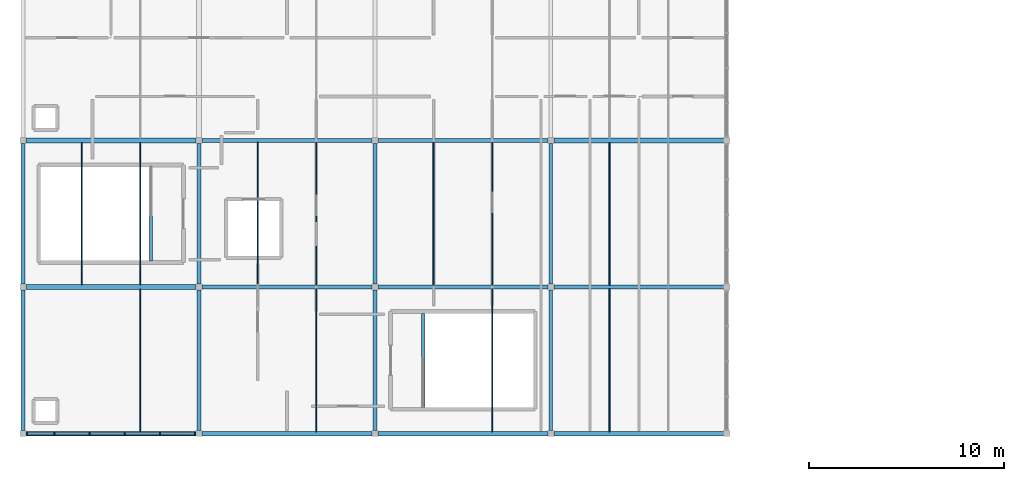
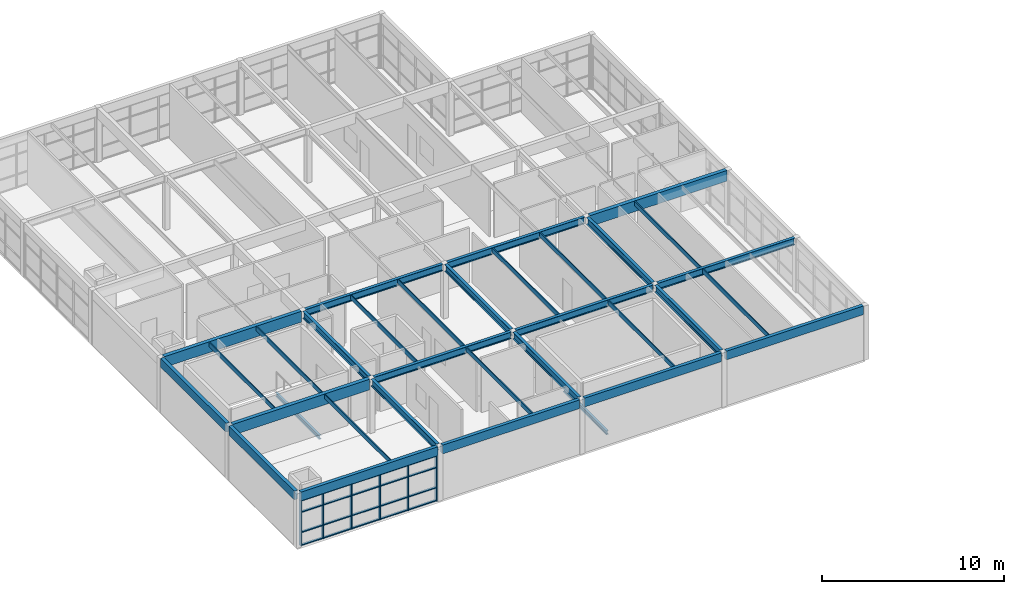
# One storey, part 3 of 24: 33 beams, 26 members, 1 element without a shape of its own.
"""IFC4 building model written with IfcOpenShell, lengths in metres."""

from ifc_helpers import new_model, si_unit, direction, frame, origin, origin_2d, place, context, subcontext, project, spatial, rectangle, i_section, extrude, material, layer, layer_set, material_profile, profile_set, type_object, element, aggregate, save


model = new_model("IFC4")

# Units and contexts
model_context = context("Model", 3, precision=1e-05, world=origin(), true_north=direction((0.0, 1.0)))
body_context = subcontext(model_context, "Body", "Model", "MODEL_VIEW")
ifc_project = project(units=[si_unit("LENGTHUNIT", "METRE"), si_unit("AREAUNIT", "SQUARE_METRE"), si_unit("VOLUMEUNIT", "CUBIC_METRE"), si_unit("PLANEANGLEUNIT", "RADIAN"), si_unit("MASSUNIT", "GRAM", prefix="KILO")], contexts=[model_context])

# Site, building, storey
site_placement = place(None, origin())
site = spatial("IfcSite", under=ifc_project, at=site_placement, CompositionType="ELEMENT")
building_placement = place(site_placement, origin())
building = spatial("IfcBuilding", under=site, at=building_placement, Name="Marnridge Secondary College", CompositionType="ELEMENT")
storey_placement = place(building_placement, frame((0.0, 0.0, 16.10009765625)))
storey = spatial("IfcBuildingStorey", under=building, at=storey_placement, Name="L04", CompositionType="ELEMENT", Elevation=16.10009765625)

# Beams
ifc_material_1 = material(Name="Glulam timber GL18", Category="wood")
ifc_material_profile_1 = material_profile(ifc_material_1, rectangle(XDim=0.215087890625, YDim=0.5849609375, at=origin_2d()), Name="GL18 215x585")
ifc_profile_set_1 = profile_set([ifc_material_profile_1], Name="Glulam timber GL18")
beam_type_1 = type_object("IfcBeamType", Name="BM-GL585-EXT", PredefinedType="SPANDREL", material=ifc_profile_set_1)
beam_1_placement = place(storey_placement, frame((0.151611328125, 0.0, 3.357421875), z_axis=(1.0, 0.0, 0.0), x_axis=(0.0, 1.0, 0.0)))
element("IfcBeam", 1, at=beam_1_placement, inside=storey, type_object=beam_type_1, Name="Beam BRF-L04-1383", PredefinedType="SPANDREL", context=body_context, shape_type="SweptSolid", body=[
    extrude(rectangle(XDim=0.215087890625, YDim=0.5849609375, at=origin_2d()), origin(), (0.0, 0.0, 1.0), 8.69677734375),
])
for number, where, z_axis, x_axis, name in (
    (2, (0.0, 0.151611328125, 3.357421875), (0.0, 1.0, 0.0), (-1.0, 0.0, 0.0), "Beam BRF-L04-1385"),
    (3, (0.0, 7.651611328125, 3.357421875), (0.0, 1.0, 0.0), (-1.0, 0.0, 0.0), "Beam BRF-L04-1388"),
):
    element("IfcBeam", number, at=place(storey_placement, frame(where, z_axis=z_axis, x_axis=x_axis)), inside=storey, type_object=beam_type_1, Name=name, PredefinedType="SPANDREL", context=body_context, shape_type="SweptSolid", body=[
        extrude(rectangle(XDim=0.215087890625, YDim=0.5849609375, at=origin_2d()), origin(), (0.0, 0.0, 1.0), 7.19677734375),
    ])
for number, where, z_axis, x_axis, name in (
    (4, (9.151611328125, 0.0, 3.357421875), (1.0, 0.0, 0.0), (0.0, 1.0, 0.0), "Beam BRF-L04-1396"),
    (5, (18.151611328125, 0.0, 3.357421875), (1.0, 0.0, 0.0), (0.0, 1.0, 0.0), "Beam BRF-L04-1405"),
    (6, (27.151611328125, 0.0, 3.357421875), (1.0, 0.0, 0.0), (0.0, 1.0, 0.0), "Beam BRF-L04-1414"),
):
    element("IfcBeam", number, at=place(storey_placement, frame(where, z_axis=z_axis, x_axis=x_axis)), inside=storey, type_object=beam_type_1, Name=name, PredefinedType="SPANDREL", context=body_context, shape_type="SweptSolid", body=[
        extrude(rectangle(XDim=0.215087890625, YDim=0.5849609375, at=origin_2d()), origin(), (0.0, 0.0, 1.0), 8.69677734375),
    ])
ifc_material_2 = material(Name="Glulam timber GL18", Category="wood")
ifc_material_profile_2 = material_profile(ifc_material_2, rectangle(XDim=0.239990234375, YDim=0.719970703125, at=origin_2d()), Name="GL18 240x720")
ifc_profile_set_2 = profile_set([ifc_material_profile_2], Name="Glulam timber GL18")
beam_type_2 = type_object("IfcBeamType", Name="BM-GL720-INT", PredefinedType="BEAM", material=ifc_profile_set_2)
for number, where, z_axis, x_axis, name in (
    (7, (0.151611328125, 7.5, 3.289794921875), (1.0, 0.0, 0.0), (0.0, 1.0, 0.0), "Beam BRF-L04-1384"),
    (8, (0.151611328125, 15.0, 3.289794921875), (1.0, 0.0, 0.0), (0.0, 1.0, 0.0), "Beam BRF-L04-1387"),
    (9, (27.151611328125, 15.0, 3.289794921875), (1.0, 0.0, 0.0), (0.0, 1.0, 0.0), "Beam BRF-L04-1417"),
):
    element("IfcBeam", number, at=place(storey_placement, frame(where, z_axis=z_axis, x_axis=x_axis)), inside=storey, type_object=beam_type_2, Name=name, PredefinedType="BEAM", context=body_context, shape_type="SweptSolid", body=[
        extrude(rectangle(XDim=0.239990234375, YDim=0.719970703125, at=origin_2d()), origin(), (0.0, 0.0, 1.0), 8.69677734375),
    ])
ifc_material_3 = material(Name="Engineered timber LVL E13.2", Category="wood")
ifc_material_profile_3 = material_profile(ifc_material_3, rectangle(XDim=0.06298828125, YDim=0.300048828125, at=origin_2d()), Name="LVL 63x300")
ifc_profile_set_3 = profile_set([ifc_material_profile_3], Name="Engineered timber LVL E13.2")
beam_type_3 = type_object("IfcBeamType", Name="BM-LVL300-INT", PredefinedType="JOIST", material=ifc_profile_set_3)
beam_2_placement = place(storey_placement, frame((6.0, 0.1015625, 3.5), z_axis=(0.0, 1.0, 0.0), x_axis=(-1.0, 0.0, 0.0)))
element("IfcBeam", 10, at=beam_2_placement, inside=storey, type_object=beam_type_3, Name="Beam BJ-L04-1430", PredefinedType="JOIST", context=body_context, shape_type="SweptSolid", body=[
    extrude(rectangle(XDim=0.06298828125, YDim=0.300048828125, at=origin_2d()), origin(), (0.0, 0.0, 1.0), 7.284423828125),
])
for number, where, z_axis, x_axis, name in (
    (11, (3.0, 7.614013671875, 3.5), (0.0, 1.0, 0.0), (-1.0, 0.0, 0.0), "Beam BJ-L04-1431"),
    (12, (6.0, 7.614013671875, 3.5), (0.0, 1.0, 0.0), (-1.0, 0.0, 0.0), "Beam BJ-L04-1432"),
):
    element("IfcBeam", number, at=place(storey_placement, frame(where, z_axis=z_axis, x_axis=x_axis)), inside=storey, type_object=beam_type_3, Name=name, PredefinedType="JOIST", context=body_context, shape_type="SweptSolid", body=[
        extrude(rectangle(XDim=0.06298828125, YDim=0.300048828125, at=origin_2d()), origin(), (0.0, 0.0, 1.0), 7.27197265625),
    ])
beam_3_placement = place(storey_placement, frame((15.0, 0.1015625, 3.5), z_axis=(0.0, 1.0, 0.0), x_axis=(-1.0, 0.0, 0.0)))
element("IfcBeam", 13, at=beam_3_placement, inside=storey, type_object=beam_type_3, Name="Beam BJ-L04-1436", PredefinedType="JOIST", context=body_context, shape_type="SweptSolid", body=[
    extrude(rectangle(XDim=0.06298828125, YDim=0.300048828125, at=origin_2d()), origin(), (0.0, 0.0, 1.0), 7.309326171875),
])
for number, where, z_axis, x_axis, name in (
    (14, (12.0, 7.589111328125, 3.5), (0.0, 1.0, 0.0), (-1.0, 0.0, 0.0), "Beam BJ-L04-1437"),
    (15, (15.0, 7.589111328125, 3.5), (0.0, 1.0, 0.0), (-1.0, 0.0, 0.0), "Beam BJ-L04-1438"),
):
    element("IfcBeam", number, at=place(storey_placement, frame(where, z_axis=z_axis, x_axis=x_axis)), inside=storey, type_object=beam_type_3, Name=name, PredefinedType="JOIST", context=body_context, shape_type="SweptSolid", body=[
        extrude(rectangle(XDim=0.06298828125, YDim=0.300048828125, at=origin_2d()), origin(), (0.0, 0.0, 1.0), 7.32177734375),
    ])
beam_4_placement = place(storey_placement, frame((24.0, 0.1015625, 3.5), z_axis=(0.0, 1.0, 0.0), x_axis=(-1.0, 0.0, 0.0)))
element("IfcBeam", 16, at=beam_4_placement, inside=storey, type_object=beam_type_3, Name="Beam BJ-L04-1442", PredefinedType="JOIST", context=body_context, shape_type="SweptSolid", body=[
    extrude(rectangle(XDim=0.06298828125, YDim=0.300048828125, at=origin_2d()), origin(), (0.0, 0.0, 1.0), 7.309326171875),
])
for number, where, z_axis, x_axis, name in (
    (17, (21.0, 7.589111328125, 3.5), (0.0, 1.0, 0.0), (-1.0, 0.0, 0.0), "Beam BJ-L04-1443"),
    (18, (24.0, 7.589111328125, 3.5), (0.0, 1.0, 0.0), (-1.0, 0.0, 0.0), "Beam BJ-L04-1444"),
):
    element("IfcBeam", number, at=place(storey_placement, frame(where, z_axis=z_axis, x_axis=x_axis)), inside=storey, type_object=beam_type_3, Name=name, PredefinedType="JOIST", context=body_context, shape_type="SweptSolid", body=[
        extrude(rectangle(XDim=0.06298828125, YDim=0.300048828125, at=origin_2d()), origin(), (0.0, 0.0, 1.0), 7.32177734375),
    ])
beam_5_placement = place(storey_placement, frame((30.0, 0.1015625, 3.5), z_axis=(0.0, 1.0, 0.0), x_axis=(-1.0, 0.0, 0.0)))
element("IfcBeam", 19, at=beam_5_placement, inside=storey, type_object=beam_type_3, Name="Beam BJ-L04-1448", PredefinedType="JOIST", context=body_context, shape_type="SweptSolid", body=[
    extrude(rectangle(XDim=0.06298828125, YDim=0.300048828125, at=origin_2d()), origin(), (0.0, 0.0, 1.0), 7.309326171875),
])
beam_6_placement = place(storey_placement, frame((30.0, 7.589111328125, 3.5), z_axis=(0.0, 1.0, 0.0), x_axis=(-1.0, 0.0, 0.0)))
element("IfcBeam", 20, at=beam_6_placement, inside=storey, type_object=beam_type_3, Name="Beam BJ-L04-1450", PredefinedType="JOIST", context=body_context, shape_type="SweptSolid", body=[
    extrude(rectangle(XDim=0.06298828125, YDim=0.300048828125, at=origin_2d()), origin(), (0.0, 0.0, 1.0), 7.296875),
])
ifc_material_4 = material(Name="Structural steel Grade 350 (AS/NZS 3679.1/.2, fy = 340-360 MPa)", Category="steel")
ifc_material_profile_4 = material_profile(ifc_material_4, i_section(OverallWidth=0.146240234375, OverallDepth=0.256103515625, WebThickness=0.00634765625, FlangeThickness=0.010986328125, FilletRadius=0.0087890625, at=origin_2d()), Name="250UB37.3")
ifc_profile_set_4 = profile_set([ifc_material_profile_4], Name="Structural steel Grade 350 (AS/NZS 3679.1/.2, fy = 340-360 MPa)")
beam_type_4 = type_object("IfcBeamType", Name="BM-UB250-EXT", PredefinedType="LINTEL", material=ifc_profile_set_4)
for number, where, z_axis, x_axis, name in (
    (21, (6.550048828125, 8.842041015625, -0.338134765625), (0.0, 1.0, 0.0), (-1.0, 0.0, 0.0), "Stair landing trimmer beam BT-L04-028"),
    (22, (20.449951171875, 1.342041015625, -0.338134765625), (0.0, 1.0, 0.0), (-1.0, 0.0, 0.0), "Stair landing trimmer beam BT-L04-036"),
):
    element("IfcBeam", number, at=place(storey_placement, frame(where, z_axis=z_axis, x_axis=x_axis)), inside=storey, type_object=beam_type_4, Name=name, PredefinedType="LINTEL", context=body_context, shape_type="SweptSolid", body=[
        extrude(i_section(OverallWidth=0.146240234375, OverallDepth=0.256103515625, WebThickness=0.00634765625, FlangeThickness=0.010986328125, FilletRadius=0.0087890625, at=origin_2d()), origin(), (0.0, 0.0, 1.0), 4.802978515625),
    ])
ifc_material_5 = material(Name="Structural steel Grade 350 (AS/NZS 3679.1/.2, fy = 340-360 MPa)", Category="steel")
ifc_material_profile_5 = material_profile(ifc_material_5, i_section(OverallWidth=0.1904296875, OverallDepth=0.45751953125, WebThickness=0.009033203125, FlangeThickness=0.014404296875, FilletRadius=0.011474609375, at=origin_2d()), Name="460UB74.6")
ifc_profile_set_5 = profile_set([ifc_material_profile_5], Name="Structural steel Grade 350 (AS/NZS 3679.1/.2, fy = 340-360 MPa)")
beam_type_5 = type_object("IfcBeamType", Name="BM-UB460-INT", PredefinedType="BEAM", material=ifc_profile_set_5)
for number, where, z_axis, x_axis, name in (
    (23, (9.0, 0.151611328125, 3.421142578125), (0.0, 1.0, 0.0), (-1.0, 0.0, 0.0), "Beam BRF-L04-1386"),
    (24, (9.0, 7.651611328125, 3.421142578125), (0.0, 1.0, 0.0), (-1.0, 0.0, 0.0), "Beam BRF-L04-1389"),
):
    element("IfcBeam", number, at=place(storey_placement, frame(where, z_axis=z_axis, x_axis=x_axis)), inside=storey, type_object=beam_type_5, Name=name, PredefinedType="BEAM", context=body_context, shape_type="SweptSolid", body=[
        extrude(i_section(OverallWidth=0.1904296875, OverallDepth=0.45751953125, WebThickness=0.009033203125, FlangeThickness=0.014404296875, FilletRadius=0.011474609375, at=origin_2d()), origin(), (0.0, 0.0, 1.0), 7.19677734375),
    ])
beam_7_placement = place(storey_placement, frame((9.151611328125, 7.5, 3.421142578125), z_axis=(1.0, 0.0, 0.0), x_axis=(0.0, 1.0, 0.0)))
element("IfcBeam", 25, at=beam_7_placement, inside=storey, type_object=beam_type_5, Name="Beam BRF-L04-1397", PredefinedType="BEAM", context=body_context, shape_type="SweptSolid", body=[
    extrude(i_section(OverallWidth=0.1904296875, OverallDepth=0.45751953125, WebThickness=0.009033203125, FlangeThickness=0.014404296875, FilletRadius=0.011474609375, at=origin_2d()), origin(), (0.0, 0.0, 1.0), 8.69677734375),
])
beam_8_placement = place(storey_placement, frame((18.0, 0.151611328125, 3.421142578125), z_axis=(0.0, 1.0, 0.0), x_axis=(-1.0, 0.0, 0.0)))
element("IfcBeam", 26, at=beam_8_placement, inside=storey, type_object=beam_type_5, Name="Beam BRF-L04-1398", PredefinedType="BEAM", context=body_context, shape_type="SweptSolid", body=[
    extrude(i_section(OverallWidth=0.1904296875, OverallDepth=0.45751953125, WebThickness=0.009033203125, FlangeThickness=0.014404296875, FilletRadius=0.011474609375, at=origin_2d()), origin(), (0.0, 0.0, 1.0), 7.19677734375),
])
beam_9_placement = place(storey_placement, frame((9.151611328125, 15.0, 3.421142578125), z_axis=(1.0, 0.0, 0.0), x_axis=(0.0, 1.0, 0.0)))
element("IfcBeam", 27, at=beam_9_placement, inside=storey, type_object=beam_type_5, Name="Beam BRF-L04-1399", PredefinedType="BEAM", context=body_context, shape_type="SweptSolid", body=[
    extrude(i_section(OverallWidth=0.1904296875, OverallDepth=0.45751953125, WebThickness=0.009033203125, FlangeThickness=0.014404296875, FilletRadius=0.011474609375, at=origin_2d()), origin(), (0.0, 0.0, 1.0), 8.69677734375),
])
beam_10_placement = place(storey_placement, frame((18.0, 7.651611328125, 3.421142578125), z_axis=(0.0, 1.0, 0.0), x_axis=(-1.0, 0.0, 0.0)))
element("IfcBeam", 28, at=beam_10_placement, inside=storey, type_object=beam_type_5, Name="Beam BRF-L04-1400", PredefinedType="BEAM", context=body_context, shape_type="SweptSolid", body=[
    extrude(i_section(OverallWidth=0.1904296875, OverallDepth=0.45751953125, WebThickness=0.009033203125, FlangeThickness=0.014404296875, FilletRadius=0.011474609375, at=origin_2d()), origin(), (0.0, 0.0, 1.0), 7.19677734375),
])
beam_11_placement = place(storey_placement, frame((18.151611328125, 7.5, 3.421142578125), z_axis=(1.0, 0.0, 0.0), x_axis=(0.0, 1.0, 0.0)))
element("IfcBeam", 29, at=beam_11_placement, inside=storey, type_object=beam_type_5, Name="Beam BRF-L04-1406", PredefinedType="BEAM", context=body_context, shape_type="SweptSolid", body=[
    extrude(i_section(OverallWidth=0.1904296875, OverallDepth=0.45751953125, WebThickness=0.009033203125, FlangeThickness=0.014404296875, FilletRadius=0.011474609375, at=origin_2d()), origin(), (0.0, 0.0, 1.0), 8.69677734375),
])
beam_12_placement = place(storey_placement, frame((27.0, 0.151611328125, 3.421142578125), z_axis=(0.0, 1.0, 0.0), x_axis=(-1.0, 0.0, 0.0)))
element("IfcBeam", 30, at=beam_12_placement, inside=storey, type_object=beam_type_5, Name="Beam BRF-L04-1407", PredefinedType="BEAM", context=body_context, shape_type="SweptSolid", body=[
    extrude(i_section(OverallWidth=0.1904296875, OverallDepth=0.45751953125, WebThickness=0.009033203125, FlangeThickness=0.014404296875, FilletRadius=0.011474609375, at=origin_2d()), origin(), (0.0, 0.0, 1.0), 7.19677734375),
])
beam_13_placement = place(storey_placement, frame((18.151611328125, 15.0, 3.421142578125), z_axis=(1.0, 0.0, 0.0), x_axis=(0.0, 1.0, 0.0)))
element("IfcBeam", 31, at=beam_13_placement, inside=storey, type_object=beam_type_5, Name="Beam BRF-L04-1408", PredefinedType="BEAM", context=body_context, shape_type="SweptSolid", body=[
    extrude(i_section(OverallWidth=0.1904296875, OverallDepth=0.45751953125, WebThickness=0.009033203125, FlangeThickness=0.014404296875, FilletRadius=0.011474609375, at=origin_2d()), origin(), (0.0, 0.0, 1.0), 8.69677734375),
])
beam_14_placement = place(storey_placement, frame((27.0, 7.651611328125, 3.421142578125), z_axis=(0.0, 1.0, 0.0), x_axis=(-1.0, 0.0, 0.0)))
element("IfcBeam", 32, at=beam_14_placement, inside=storey, type_object=beam_type_5, Name="Beam BRF-L04-1409", PredefinedType="BEAM", context=body_context, shape_type="SweptSolid", body=[
    extrude(i_section(OverallWidth=0.1904296875, OverallDepth=0.45751953125, WebThickness=0.009033203125, FlangeThickness=0.014404296875, FilletRadius=0.011474609375, at=origin_2d()), origin(), (0.0, 0.0, 1.0), 7.19677734375),
])
beam_15_placement = place(storey_placement, frame((27.151611328125, 7.5, 3.421142578125), z_axis=(1.0, 0.0, 0.0), x_axis=(0.0, 1.0, 0.0)))
element("IfcBeam", 33, at=beam_15_placement, inside=storey, type_object=beam_type_5, Name="Beam BRF-L04-1415", PredefinedType="BEAM", context=body_context, shape_type="SweptSolid", body=[
    extrude(i_section(OverallWidth=0.1904296875, OverallDepth=0.45751953125, WebThickness=0.009033203125, FlangeThickness=0.014404296875, FilletRadius=0.011474609375, at=origin_2d()), origin(), (0.0, 0.0, 1.0), 8.69677734375),
])

# Curtain wall, members
ifc_material_6 = material(Name="Bronze-anodised aluminium and solar-control glazing", Category="aluminium")
ifc_layer = layer(ifc_material_6, 0.199951171875)
ifc_layer_set = layer_set([ifc_layer], Name="CW-MOD-1800")
curtain_wall_type = type_object("IfcCurtainWallType", Name="CW-MOD-1800", PredefinedType="NOTDEFINED", material=ifc_layer_set)
curtain_wall_placement = place(storey_placement, origin())
curtain_wall = element("IfcCurtainWall", 34, at=curtain_wall_placement, inside=storey, type_object=curtain_wall_type, Name="Unitised curtain wall CW-L04-149", PredefinedType="NOTDEFINED")
ifc_material_7 = material(Name="Bronze-anodised aluminium 6063-T6", Category="aluminium")
ifc_material_profile_6 = material_profile(ifc_material_7, rectangle(XDim=0.070068359375, YDim=0.199951171875, at=origin_2d()), Name="ALU 70x200")
ifc_profile_set_6 = profile_set([ifc_material_profile_6], Name="Bronze-anodised aluminium 6063-T6")
member_type_1 = type_object("IfcMemberType", Name="CWM-ALU200", PredefinedType="MULLION", material=ifc_profile_set_6)
member_1_placement = place(storey_placement, frame((8.803466796875, 0.0, 0.0), z_axis=(0.0, 0.0, 1.0), x_axis=(-1.0, 0.0, 0.0)))
member_1 = element("IfcMember", 35, at=member_1_placement, type_object=member_type_1, Name="CW-L04-149 mullion 1", PredefinedType="MULLION", context=body_context, shape_type="SweptSolid", body=[
    extrude(rectangle(XDim=0.070068359375, YDim=0.199951171875, at=origin_2d()), origin(), (0.0, 0.0, 1.0), 3.056884765625),
])
member_2_placement = place(storey_placement, frame((7.00341796875, 0.0, 0.0), z_axis=(0.0, 0.0, 1.0), x_axis=(-1.0, 0.0, 0.0)))
member_2 = element("IfcMember", 36, at=member_2_placement, type_object=member_type_1, Name="CW-L04-149 mullion 2", PredefinedType="MULLION", context=body_context, shape_type="SweptSolid", body=[
    extrude(rectangle(XDim=0.070068359375, YDim=0.199951171875, at=origin_2d()), origin(), (0.0, 0.0, 1.0), 3.056884765625),
])
member_3_placement = place(storey_placement, frame((5.20361328125, 0.0, 0.0), z_axis=(0.0, 0.0, 1.0), x_axis=(-1.0, 0.0, 0.0)))
member_3 = element("IfcMember", 37, at=member_3_placement, type_object=member_type_1, Name="CW-L04-149 mullion 3", PredefinedType="MULLION", context=body_context, shape_type="SweptSolid", body=[
    extrude(rectangle(XDim=0.070068359375, YDim=0.199951171875, at=origin_2d()), origin(), (0.0, 0.0, 1.0), 3.056884765625),
])
member_4_placement = place(storey_placement, frame((3.403564453125, 0.0, 0.0), z_axis=(0.0, 0.0, 1.0), x_axis=(-1.0, 0.0, 0.0)))
member_4 = element("IfcMember", 38, at=member_4_placement, type_object=member_type_1, Name="CW-L04-149 mullion 4", PredefinedType="MULLION", context=body_context, shape_type="SweptSolid", body=[
    extrude(rectangle(XDim=0.070068359375, YDim=0.199951171875, at=origin_2d()), origin(), (0.0, 0.0, 1.0), 3.056884765625),
])
member_5_placement = place(storey_placement, frame((1.603515625, 0.0, 0.0), z_axis=(0.0, 0.0, 1.0), x_axis=(-1.0, 0.0, 0.0)))
member_5 = element("IfcMember", 39, at=member_5_placement, type_object=member_type_1, Name="CW-L04-149 mullion 5", PredefinedType="MULLION", context=body_context, shape_type="SweptSolid", body=[
    extrude(rectangle(XDim=0.070068359375, YDim=0.199951171875, at=origin_2d()), origin(), (0.0, 0.0, 1.0), 3.056884765625),
])
member_6_placement = place(storey_placement, frame((0.196533203125, 0.0, 0.0), z_axis=(0.0, 0.0, 1.0), x_axis=(-1.0, 0.0, 0.0)))
member_6 = element("IfcMember", 40, at=member_6_placement, type_object=member_type_1, Name="CW-L04-149 mullion 6", PredefinedType="MULLION", context=body_context, shape_type="SweptSolid", body=[
    extrude(rectangle(XDim=0.070068359375, YDim=0.199951171875, at=origin_2d()), origin(), (0.0, 0.0, 1.0), 3.056884765625),
])
ifc_material_8 = material(Name="Anodised aluminium 6063-T6", Category="aluminium")
ifc_material_profile_7 = material_profile(ifc_material_8, rectangle(XDim=0.06494140625, YDim=0.139892578125, at=origin_2d()), Name="ALU 65x140")
ifc_profile_set_7 = profile_set([ifc_material_profile_7], Name="Anodised aluminium 6063-T6")
member_type_2 = type_object("IfcMemberType", Name="CWT-ALU140", PredefinedType="USERDEFINED", material=ifc_profile_set_7)
member_7_placement = place(storey_placement, frame((8.7685546875, 0.0, 0.032470703125), z_axis=(-1.0, 0.0, 0.0), x_axis=(0.0, 0.0, 1.0)))
member_7 = element("IfcMember", 41, at=member_7_placement, type_object=member_type_2, Name="CW-L04-149 transom 1.1", ObjectType="TRANSOM", PredefinedType="USERDEFINED", context=body_context, shape_type="SweptSolid", body=[
    extrude(rectangle(XDim=0.06494140625, YDim=0.139892578125, at=origin_2d()), origin(), (0.0, 0.0, 1.0), 1.72998046875),
])
member_8_placement = place(storey_placement, frame((8.7685546875, 0.0, 0.89990234375), z_axis=(-1.0, 0.0, 0.0), x_axis=(0.0, 0.0, 1.0)))
member_8 = element("IfcMember", 42, at=member_8_placement, type_object=member_type_2, Name="CW-L04-149 transom 1.2", ObjectType="TRANSOM", PredefinedType="USERDEFINED", context=body_context, shape_type="SweptSolid", body=[
    extrude(rectangle(XDim=0.06494140625, YDim=0.139892578125, at=origin_2d()), origin(), (0.0, 0.0, 1.0), 1.72998046875),
])
member_9_placement = place(storey_placement, frame((8.7685546875, 0.0, 2.25), z_axis=(-1.0, 0.0, 0.0), x_axis=(0.0, 0.0, 1.0)))
member_9 = element("IfcMember", 43, at=member_9_placement, type_object=member_type_2, Name="CW-L04-149 transom 1.3", ObjectType="TRANSOM", PredefinedType="USERDEFINED", context=body_context, shape_type="SweptSolid", body=[
    extrude(rectangle(XDim=0.06494140625, YDim=0.139892578125, at=origin_2d()), origin(), (0.0, 0.0, 1.0), 1.72998046875),
])
member_10_placement = place(storey_placement, frame((8.7685546875, 0.0, 3.0244140625), z_axis=(-1.0, 0.0, 0.0), x_axis=(0.0, 0.0, 1.0)))
member_10 = element("IfcMember", 44, at=member_10_placement, type_object=member_type_2, Name="CW-L04-149 transom 1.4", ObjectType="TRANSOM", PredefinedType="USERDEFINED", context=body_context, shape_type="SweptSolid", body=[
    extrude(rectangle(XDim=0.06494140625, YDim=0.139892578125, at=origin_2d()), origin(), (0.0, 0.0, 1.0), 1.72998046875),
])
member_11_placement = place(storey_placement, frame((6.968505859375, 0.0, 0.032470703125), z_axis=(-1.0, 0.0, 0.0), x_axis=(0.0, 0.0, 1.0)))
member_11 = element("IfcMember", 45, at=member_11_placement, type_object=member_type_2, Name="CW-L04-149 transom 2.1", ObjectType="TRANSOM", PredefinedType="USERDEFINED", context=body_context, shape_type="SweptSolid", body=[
    extrude(rectangle(XDim=0.06494140625, YDim=0.139892578125, at=origin_2d()), origin(), (0.0, 0.0, 1.0), 1.72998046875),
])
member_12_placement = place(storey_placement, frame((6.968505859375, 0.0, 0.89990234375), z_axis=(-1.0, 0.0, 0.0), x_axis=(0.0, 0.0, 1.0)))
member_12 = element("IfcMember", 46, at=member_12_placement, type_object=member_type_2, Name="CW-L04-149 transom 2.2", ObjectType="TRANSOM", PredefinedType="USERDEFINED", context=body_context, shape_type="SweptSolid", body=[
    extrude(rectangle(XDim=0.06494140625, YDim=0.139892578125, at=origin_2d()), origin(), (0.0, 0.0, 1.0), 1.72998046875),
])
member_13_placement = place(storey_placement, frame((6.968505859375, 0.0, 2.25), z_axis=(-1.0, 0.0, 0.0), x_axis=(0.0, 0.0, 1.0)))
member_13 = element("IfcMember", 47, at=member_13_placement, type_object=member_type_2, Name="CW-L04-149 transom 2.3", ObjectType="TRANSOM", PredefinedType="USERDEFINED", context=body_context, shape_type="SweptSolid", body=[
    extrude(rectangle(XDim=0.06494140625, YDim=0.139892578125, at=origin_2d()), origin(), (0.0, 0.0, 1.0), 1.72998046875),
])
member_14_placement = place(storey_placement, frame((6.968505859375, 0.0, 3.0244140625), z_axis=(-1.0, 0.0, 0.0), x_axis=(0.0, 0.0, 1.0)))
member_14 = element("IfcMember", 48, at=member_14_placement, type_object=member_type_2, Name="CW-L04-149 transom 2.4", ObjectType="TRANSOM", PredefinedType="USERDEFINED", context=body_context, shape_type="SweptSolid", body=[
    extrude(rectangle(XDim=0.06494140625, YDim=0.139892578125, at=origin_2d()), origin(), (0.0, 0.0, 1.0), 1.72998046875),
])
member_15_placement = place(storey_placement, frame((5.16845703125, 0.0, 0.032470703125), z_axis=(-1.0, 0.0, 0.0), x_axis=(0.0, 0.0, 1.0)))
member_15 = element("IfcMember", 49, at=member_15_placement, type_object=member_type_2, Name="CW-L04-149 transom 3.1", ObjectType="TRANSOM", PredefinedType="USERDEFINED", context=body_context, shape_type="SweptSolid", body=[
    extrude(rectangle(XDim=0.06494140625, YDim=0.139892578125, at=origin_2d()), origin(), (0.0, 0.0, 1.0), 1.72998046875),
])
member_16_placement = place(storey_placement, frame((5.16845703125, 0.0, 0.89990234375), z_axis=(-1.0, 0.0, 0.0), x_axis=(0.0, 0.0, 1.0)))
member_16 = element("IfcMember", 50, at=member_16_placement, type_object=member_type_2, Name="CW-L04-149 transom 3.2", ObjectType="TRANSOM", PredefinedType="USERDEFINED", context=body_context, shape_type="SweptSolid", body=[
    extrude(rectangle(XDim=0.06494140625, YDim=0.139892578125, at=origin_2d()), origin(), (0.0, 0.0, 1.0), 1.72998046875),
])
member_17_placement = place(storey_placement, frame((5.16845703125, 0.0, 2.25), z_axis=(-1.0, 0.0, 0.0), x_axis=(0.0, 0.0, 1.0)))
member_17 = element("IfcMember", 51, at=member_17_placement, type_object=member_type_2, Name="CW-L04-149 transom 3.3", ObjectType="TRANSOM", PredefinedType="USERDEFINED", context=body_context, shape_type="SweptSolid", body=[
    extrude(rectangle(XDim=0.06494140625, YDim=0.139892578125, at=origin_2d()), origin(), (0.0, 0.0, 1.0), 1.72998046875),
])
member_18_placement = place(storey_placement, frame((5.16845703125, 0.0, 3.0244140625), z_axis=(-1.0, 0.0, 0.0), x_axis=(0.0, 0.0, 1.0)))
member_18 = element("IfcMember", 52, at=member_18_placement, type_object=member_type_2, Name="CW-L04-149 transom 3.4", ObjectType="TRANSOM", PredefinedType="USERDEFINED", context=body_context, shape_type="SweptSolid", body=[
    extrude(rectangle(XDim=0.06494140625, YDim=0.139892578125, at=origin_2d()), origin(), (0.0, 0.0, 1.0), 1.72998046875),
])
member_19_placement = place(storey_placement, frame((3.368408203125, 0.0, 0.032470703125), z_axis=(-1.0, 0.0, 0.0), x_axis=(0.0, 0.0, 1.0)))
member_19 = element("IfcMember", 53, at=member_19_placement, type_object=member_type_2, Name="CW-L04-149 transom 4.1", ObjectType="TRANSOM", PredefinedType="USERDEFINED", context=body_context, shape_type="SweptSolid", body=[
    extrude(rectangle(XDim=0.06494140625, YDim=0.139892578125, at=origin_2d()), origin(), (0.0, 0.0, 1.0), 1.72998046875),
])
member_20_placement = place(storey_placement, frame((3.368408203125, 0.0, 0.89990234375), z_axis=(-1.0, 0.0, 0.0), x_axis=(0.0, 0.0, 1.0)))
member_20 = element("IfcMember", 54, at=member_20_placement, type_object=member_type_2, Name="CW-L04-149 transom 4.2", ObjectType="TRANSOM", PredefinedType="USERDEFINED", context=body_context, shape_type="SweptSolid", body=[
    extrude(rectangle(XDim=0.06494140625, YDim=0.139892578125, at=origin_2d()), origin(), (0.0, 0.0, 1.0), 1.72998046875),
])
member_21_placement = place(storey_placement, frame((3.368408203125, 0.0, 2.25), z_axis=(-1.0, 0.0, 0.0), x_axis=(0.0, 0.0, 1.0)))
member_21 = element("IfcMember", 55, at=member_21_placement, type_object=member_type_2, Name="CW-L04-149 transom 4.3", ObjectType="TRANSOM", PredefinedType="USERDEFINED", context=body_context, shape_type="SweptSolid", body=[
    extrude(rectangle(XDim=0.06494140625, YDim=0.139892578125, at=origin_2d()), origin(), (0.0, 0.0, 1.0), 1.72998046875),
])
member_22_placement = place(storey_placement, frame((3.368408203125, 0.0, 3.0244140625), z_axis=(-1.0, 0.0, 0.0), x_axis=(0.0, 0.0, 1.0)))
member_22 = element("IfcMember", 56, at=member_22_placement, type_object=member_type_2, Name="CW-L04-149 transom 4.4", ObjectType="TRANSOM", PredefinedType="USERDEFINED", context=body_context, shape_type="SweptSolid", body=[
    extrude(rectangle(XDim=0.06494140625, YDim=0.139892578125, at=origin_2d()), origin(), (0.0, 0.0, 1.0), 1.72998046875),
])
member_23_placement = place(storey_placement, frame((1.568603515625, 0.0, 0.032470703125), z_axis=(-1.0, 0.0, 0.0), x_axis=(0.0, 0.0, 1.0)))
member_23 = element("IfcMember", 57, at=member_23_placement, type_object=member_type_2, Name="CW-L04-149 transom 5.1", ObjectType="TRANSOM", PredefinedType="USERDEFINED", context=body_context, shape_type="SweptSolid", body=[
    extrude(rectangle(XDim=0.06494140625, YDim=0.139892578125, at=origin_2d()), origin(), (0.0, 0.0, 1.0), 1.337158203125),
])
member_24_placement = place(storey_placement, frame((1.568603515625, 0.0, 0.89990234375), z_axis=(-1.0, 0.0, 0.0), x_axis=(0.0, 0.0, 1.0)))
member_24 = element("IfcMember", 58, at=member_24_placement, type_object=member_type_2, Name="CW-L04-149 transom 5.2", ObjectType="TRANSOM", PredefinedType="USERDEFINED", context=body_context, shape_type="SweptSolid", body=[
    extrude(rectangle(XDim=0.06494140625, YDim=0.139892578125, at=origin_2d()), origin(), (0.0, 0.0, 1.0), 1.337158203125),
])
member_25_placement = place(storey_placement, frame((1.568603515625, 0.0, 2.25), z_axis=(-1.0, 0.0, 0.0), x_axis=(0.0, 0.0, 1.0)))
member_25 = element("IfcMember", 59, at=member_25_placement, type_object=member_type_2, Name="CW-L04-149 transom 5.3", ObjectType="TRANSOM", PredefinedType="USERDEFINED", context=body_context, shape_type="SweptSolid", body=[
    extrude(rectangle(XDim=0.06494140625, YDim=0.139892578125, at=origin_2d()), origin(), (0.0, 0.0, 1.0), 1.337158203125),
])
member_26_placement = place(storey_placement, frame((1.568603515625, 0.0, 3.0244140625), z_axis=(-1.0, 0.0, 0.0), x_axis=(0.0, 0.0, 1.0)))
member_26 = element("IfcMember", 60, at=member_26_placement, type_object=member_type_2, Name="CW-L04-149 transom 5.4", ObjectType="TRANSOM", PredefinedType="USERDEFINED", context=body_context, shape_type="SweptSolid", body=[
    extrude(rectangle(XDim=0.06494140625, YDim=0.139892578125, at=origin_2d()), origin(), (0.0, 0.0, 1.0), 1.337158203125),
])
aggregate(curtain_wall, [member_1, member_2, member_3, member_4, member_5, member_6, member_7, member_8, member_9, member_10, member_11, member_12, member_13, member_14, member_15, member_16, member_17, member_18, member_19, member_20, member_21, member_22, member_23, member_24, member_25, member_26])

save(model, "model.ifc")
